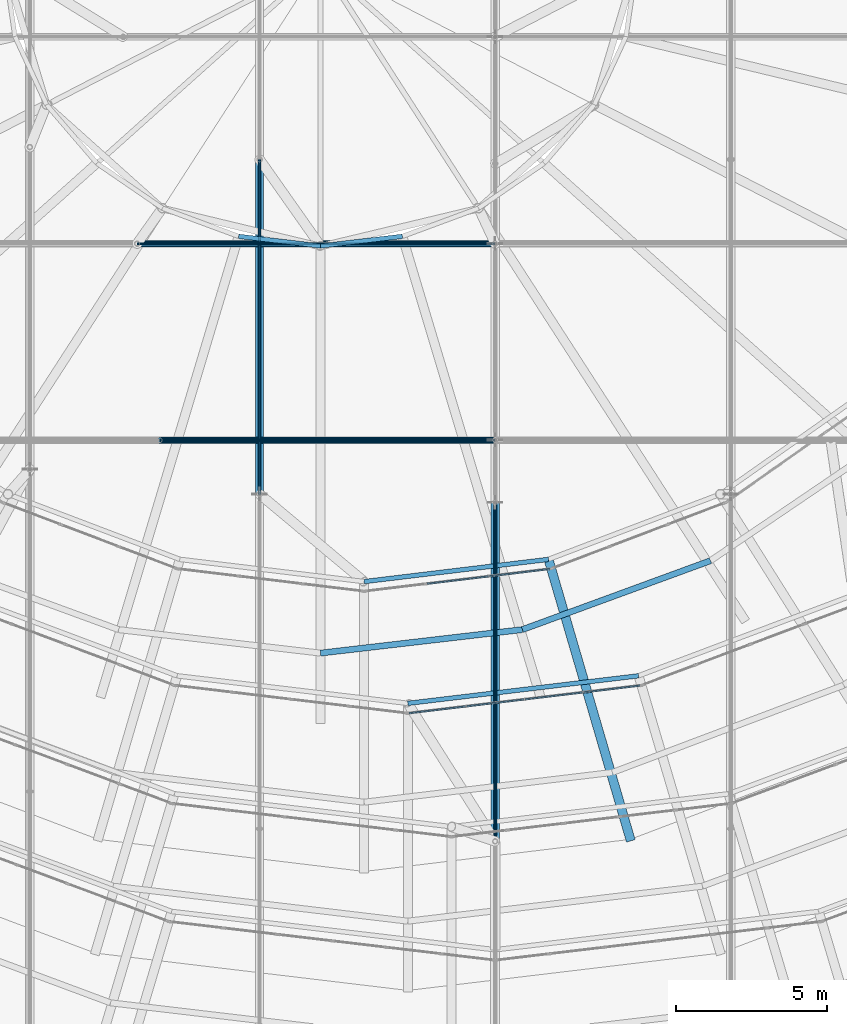
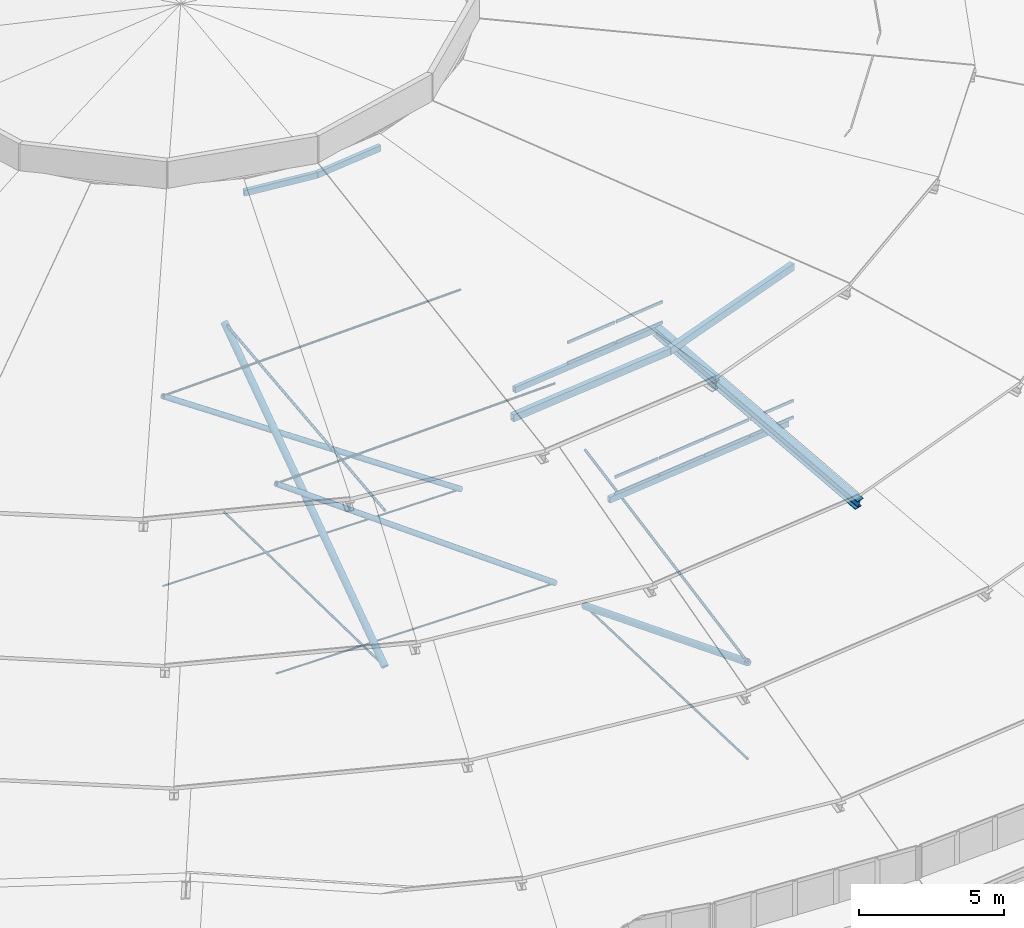
# One storey, part 23 of 173: 31 members, 2 elements without a shape of their own.
"""IFC4 building model written with IfcOpenShell, lengths in metres."""

import ifcopenshell
import ifcopenshell.guid

model = None  # the IFC model being written
_history = None  # IfcOwnerHistory: only IFC2X3 demands one
_inside = {}  # id of a spatial element -> (the spatial element, [elements in it])
_under = {}  # id of a project, library or spatial element -> (it, [spatial elements below it])
_declared = {}  # id of a project -> (the project, [libraries it declares])
_typed = {}  # id of a type object -> (the type object, [elements of that type])
_made_of = {}  # id of a material, layer set ... -> (it, [elements and type objects made of it])


def new_model(schema):
    """Start an empty IFC model of exactly this schema.

    Asked for "IFC4X3", IfcOpenShell would pick the latest addendum, in which some entities
    have other attributes; the version numbers below select the first issue.
    IFC2X3 requires an IfcOwnerHistory on every rooted entity: one is made here for all.
    """
    global model, _history
    if schema == "IFC4X3":
        model = ifcopenshell.file(schema_version=(4, 3, 0, 0))
    else:
        model = ifcopenshell.file(schema=schema)
    _inside.clear()
    _under.clear()
    _declared.clear()
    _typed.clear()
    _made_of.clear()
    _history = None
    if model.schema == "IFC2X3":
        org = make("IfcOrganization", Name="unknown")
        user = make(
            "IfcPersonAndOrganization",
            ThePerson=make("IfcPerson", FamilyName="unknown"),
            TheOrganization=org,
        )
        app = make(
            "IfcApplication",
            ApplicationDeveloper=org,
            Version="unknown",
            ApplicationFullName="unknown",
            ApplicationIdentifier="unknown",
        )
        _history = make(
            "IfcOwnerHistory",
            OwningUser=user,
            OwningApplication=app,
            ChangeAction="ADDED",
            CreationDate=0,
        )
    return model


def make(cls, **values):
    """One entity of the class cls with the attributes given. An attribute that is None is left unset."""
    return model.create_entity(
        cls, **{name: value for name, value in values.items() if value is not None}
    )


def rooted(cls, **values):
    """An entity with a GlobalId (a new one), such as an element, a storey or a relation."""
    return make(cls, GlobalId=ifcopenshell.guid.new(), OwnerHistory=_history, **values)


def si_unit(unit_type, name, prefix=None):
    """IfcSIUnit, for example si_unit("LENGTHUNIT", "METRE", prefix="MILLI")."""
    return make("IfcSIUnit", UnitType=unit_type, Prefix=prefix, Name=name)


def assignment(units):
    """IfcUnitAssignment: the units of a project."""
    return None if units is None else make("IfcUnitAssignment", Units=units)


def point(xyz):
    """IfcCartesianPoint."""
    return None if xyz is None else make("IfcCartesianPoint", Coordinates=xyz)


def direction(xyz):
    """IfcDirection."""
    return None if xyz is None else make("IfcDirection", DirectionRatios=xyz)


def frame(location, z_axis=None, x_axis=None):
    """IfcAxis2Placement3D, a coordinate frame: its origin and axes. An axis left out is left unset."""
    return make(
        "IfcAxis2Placement3D",
        Location=point(location),
        Axis=direction(z_axis),
        RefDirection=direction(x_axis),
    )


def frame_2d(location, x_axis=None):
    """IfcAxis2Placement2D, a coordinate frame in the plane: its origin and x axis."""
    return make(
        "IfcAxis2Placement2D", Location=point(location), RefDirection=direction(x_axis)
    )


def origin():
    """The frame at (0, 0, 0) with its axes left unset."""
    return frame((0.0, 0.0, 0.0))


def origin_2d():
    """The frame at (0, 0) in the plane with its x axis left unset."""
    return frame_2d((0.0, 0.0))


def place(relative_to, where):
    """IfcLocalPlacement: puts the frame where relative to a parent placement (None: the world)."""
    return make(
        "IfcLocalPlacement", PlacementRelTo=relative_to, RelativePlacement=where
    )


def context(
    kind, dimensions, precision=None, world=None, true_north=None, identifier=None
):
    """IfcGeometricRepresentationContext, for example the 3D "Model" context."""
    return make(
        "IfcGeometricRepresentationContext",
        ContextIdentifier=identifier,
        ContextType=kind,
        CoordinateSpaceDimension=dimensions,
        Precision=precision,
        WorldCoordinateSystem=world,
        TrueNorth=true_north,
    )


def subcontext(parent, identifier, kind, view, scale=None):
    """IfcGeometricRepresentationSubContext, for example "Body" below "Model"."""
    return make(
        "IfcGeometricRepresentationSubContext",
        ContextIdentifier=identifier,
        ContextType=kind,
        ParentContext=parent,
        TargetScale=scale,
        TargetView=view,
    )


def project(units=None, contexts=None):
    """IfcProject with its units and contexts."""
    return rooted(
        "IfcProject",
        Name="project",
        RepresentationContexts=contexts,
        UnitsInContext=assignment(units),
    )


def spatial(cls, under=None, at=None, **own):
    """A site, building, storey or space (cls), placed at a placement, below another one or the project."""
    s = rooted(cls, ObjectPlacement=at, **own)
    if under is not None:
        _under.setdefault(under.id(), (under, []))[1].append(s)
    return s


def profile(cls, at=None, kind="AREA", **sizes):
    """A parametric profile (cls). Its sizes go by their IFC names, for example OverallWidth=200.0."""
    return make(cls, ProfileType=kind, Position=at, **sizes)


def rectangle(**sizes):
    """IfcRectangleProfileDef."""
    return profile("IfcRectangleProfileDef", **sizes)


def hollow_rectangle(**sizes):
    """IfcRectangleHollowProfileDef."""
    return profile("IfcRectangleHollowProfileDef", **sizes)


def circle(**sizes):
    """IfcCircleProfileDef."""
    return profile("IfcCircleProfileDef", **sizes)


def hollow_circle(**sizes):
    """IfcCircleHollowProfileDef."""
    return profile("IfcCircleHollowProfileDef", **sizes)


def i_section(**sizes):
    """IfcIShapeProfileDef."""
    return profile("IfcIShapeProfileDef", **sizes)


def extrude(swept, where, along, depth):
    """IfcExtrudedAreaSolid: the profile swept, set in the frame where, extruded along a direction by depth."""
    return make(
        "IfcExtrudedAreaSolid",
        SweptArea=swept,
        Position=where,
        ExtrudedDirection=direction(along),
        Depth=depth,
    )


def shape(context_of_items, identifier, shape_type, items):
    """IfcShapeRepresentation: the items that make up one representation, for example the "Body"."""
    return make(
        "IfcShapeRepresentation",
        ContextOfItems=context_of_items,
        RepresentationIdentifier=identifier,
        RepresentationType=shape_type,
        Items=items,
    )


def material(Name=None, Category=None):
    """IfcMaterial."""
    return make("IfcMaterial", Name=Name, Category=Category)


def material_profile(
    of_material, cross_section, Name=None, Category=None, Priority=None
):
    """IfcMaterialProfile: a cross section and its material."""
    return make(
        "IfcMaterialProfile",
        Name=Name,
        Material=of_material,
        Profile=cross_section,
        Priority=Priority,
        Category=Category,
    )


def profile_set(profiles, Name=None, composite=None):
    """IfcMaterialProfileSet."""
    return make(
        "IfcMaterialProfileSet",
        Name=Name,
        MaterialProfiles=profiles,
        CompositeProfile=composite,
    )


def made_of(thing, what):
    """Note that an element or type object is made of a material, layer set ...; save() writes the relation."""
    if what is not None:
        _made_of.setdefault(what.id(), (what, []))[1].append(thing)
    return thing


def type_object(cls, material=None, **own):
    """A type object (cls), such as IfcWallType, which elements share."""
    return made_of(rooted(cls, **own), material)


def element(
    cls,
    number,
    at=None,
    inside=None,
    cuts=None,
    type_object=None,
    material=None,
    context=None,
    identifier="Body",
    shape_type=None,
    held_by="IfcProductDefinitionShape",
    body=None,
    shapes=None,
    **own,
):
    """One element of the class cls, such as IfcWall. Its Tag is "e" and its number.

    at: its placement. inside: the storey or other place that contains it. cuts: it is an
    opening in that element (IfcRelVoidsElement). A single representation is given by context,
    identifier, shape_type and body (its items); several are given by shapes. held_by: the class
    of the entity that holds the representations. save() writes the other relations.
    """
    e = rooted(cls, Tag="e%d" % number, ObjectPlacement=at, **own)
    if body is not None:
        shapes = [shape(context, identifier, shape_type, body)]
    if shapes is not None:
        e.Representation = make(held_by, Representations=shapes)
    if inside is not None:
        _inside.setdefault(inside.id(), (inside, []))[1].append(e)
    if cuts is not None:
        rooted(
            "IfcRelVoidsElement", RelatingBuildingElement=cuts, RelatedOpeningElement=e
        )
    if type_object is not None:
        _typed.setdefault(type_object.id(), (type_object, []))[1].append(e)
    return made_of(e, material)


def aggregate(whole, parts):
    """IfcRelAggregates: a whole, such as a stair, and the parts it consists of."""
    return rooted("IfcRelAggregates", RelatingObject=whole, RelatedObjects=parts)


def save(model, path):
    """Write the relations noted so far, then the file.

    IfcRelAggregates (storeys below a building ...), IfcRelContainedInSpatialStructure (elements
    in a storey), IfcRelDefinesByType, IfcRelAssociatesMaterial and IfcRelDeclares: one each for
    every whole, place, type object, material and project.
    """
    for whole, parts in _under.values():
        aggregate(whole, parts)
    for where, things in _inside.values():
        rooted(
            "IfcRelContainedInSpatialStructure",
            RelatedElements=things,
            RelatingStructure=where,
        )
    for kind, things in _typed.values():
        rooted("IfcRelDefinesByType", RelatedObjects=things, RelatingType=kind)
    for what, things in _made_of.values():
        rooted("IfcRelAssociatesMaterial", RelatedObjects=things, RelatingMaterial=what)
    for by, libraries in _declared.values():
        rooted("IfcRelDeclares", RelatingContext=by, RelatedDefinitions=libraries)
    model.write(path)


model = new_model("IFC4")

# Units and contexts
model_context = context("Model", 3, precision=1e-05, world=origin(), true_north=direction((0.0, 1.0)))
body_context = subcontext(model_context, "Body", "Model", "MODEL_VIEW")
ifc_project = project(units=[si_unit("LENGTHUNIT", "METRE"), si_unit("AREAUNIT", "SQUARE_METRE"), si_unit("VOLUMEUNIT", "CUBIC_METRE"), si_unit("PLANEANGLEUNIT", "RADIAN"), si_unit("MASSUNIT", "GRAM", prefix="KILO")], contexts=[model_context])

# Site, building, storey
site_placement = place(None, origin())
site = spatial("IfcSite", under=ifc_project, at=site_placement, CompositionType="ELEMENT")
building_placement = place(site_placement, origin())
building = spatial("IfcBuilding", under=site, at=building_placement, Name="Glasvene Arena", CompositionType="ELEMENT")
storey_placement = place(building_placement, frame((0.0, 0.0, 28.800048828125)))
storey = spatial("IfcBuildingStorey", under=building, at=storey_placement, Name="RF", CompositionType="ELEMENT", Elevation=28.800048828125)

# Curtain wall, members
ifc_material_1 = material(Name="Low-emissivity laminated double glazing", Category="glass")
curtain_wall_type_1 = type_object("IfcCurtainWallType", Name="CW-PET3-781x75", PredefinedType="USERDEFINED", material=ifc_material_1)
curtain_wall_1_placement = place(storey_placement, frame((89.10009765625, 43.5, 0.0)))
curtain_wall_1 = element("IfcCurtainWall", 1, at=curtain_wall_1_placement, inside=storey, type_object=curtain_wall_type_1, Name="Petal ring 3-4 clerestory curtain wall 19", ObjectType="CURTAIN WALL", PredefinedType="USERDEFINED")
ifc_material_2 = material(Name="Anodised architectural aluminium", Category="aluminium")
ifc_material_profile_1 = material_profile(ifc_material_2, rectangle(XDim=0.050048828125, YDim=0.1201171875, at=origin_2d()), Name="ALU TRANSOM 50x120")
ifc_profile_set_1 = profile_set([ifc_material_profile_1], Name="Anodised architectural aluminium")
member_type_1 = type_object("IfcMemberType", Name="CW-TRN-120", PredefinedType="USERDEFINED", material=ifc_profile_set_1)
member_1_placement = place(storey_placement, frame((89.149658203125, 43.505859375, 7.85498046875), z_axis=(0.992922315442, 0.118765632647, 0.0), x_axis=(-0.118765632647, 0.992922315442, 0.0)))
member_1 = element("IfcMember", 2, at=member_1_placement, type_object=member_type_1, Name="CW-098 transom 1.1", ObjectType="TRANSOM", PredefinedType="USERDEFINED", context=body_context, shape_type="SweptSolid", body=[
    extrude(rectangle(XDim=0.050048828125, YDim=0.1201171875, at=origin_2d()), origin(), (0.0, 0.0, 1.0), 1.876708984375),
])
member_2_placement = place(storey_placement, frame((89.149658203125, 43.505859375, 8.554931640625), z_axis=(0.992922315442, 0.118765632647, 0.0), x_axis=(-0.118765632647, 0.992922315442, 0.0)))
member_2 = element("IfcMember", 3, at=member_2_placement, type_object=member_type_1, Name="CW-098 transom 1.2", ObjectType="TRANSOM", PredefinedType="USERDEFINED", context=body_context, shape_type="SweptSolid", body=[
    extrude(rectangle(XDim=0.050048828125, YDim=0.1201171875, at=origin_2d()), origin(), (0.0, 0.0, 1.0), 1.876708984375),
])
member_3_placement = place(storey_placement, frame((91.062744140625, 43.734619140625, 7.85498046875), z_axis=(0.992923539181, 0.118755401311, 0.0), x_axis=(-0.118755401311, 0.992923539181, 0.0)))
member_3 = element("IfcMember", 4, at=member_3_placement, type_object=member_type_1, Name="CW-098 transom 2.1", ObjectType="TRANSOM", PredefinedType="USERDEFINED", context=body_context, shape_type="SweptSolid", body=[
    extrude(rectangle(XDim=0.050048828125, YDim=0.1201171875, at=origin_2d()), origin(), (0.0, 0.0, 1.0), 1.901611328125),
])
member_4_placement = place(storey_placement, frame((91.062744140625, 43.734619140625, 8.554931640625), z_axis=(0.992923539181, 0.118755401311, 0.0), x_axis=(-0.118755401311, 0.992923539181, 0.0)))
member_4 = element("IfcMember", 5, at=member_4_placement, type_object=member_type_1, Name="CW-098 transom 2.2", ObjectType="TRANSOM", PredefinedType="USERDEFINED", context=body_context, shape_type="SweptSolid", body=[
    extrude(rectangle(XDim=0.050048828125, YDim=0.1201171875, at=origin_2d()), origin(), (0.0, 0.0, 1.0), 1.901611328125),
])
member_5_placement = place(storey_placement, frame((93.000732421875, 43.96630859375, 7.85498046875), z_axis=(0.992923539181, 0.118755401311, 0.0), x_axis=(-0.118755401311, 0.992923539181, 0.0)))
member_5 = element("IfcMember", 6, at=member_5_placement, type_object=member_type_1, Name="CW-098 transom 3.1", ObjectType="TRANSOM", PredefinedType="USERDEFINED", context=body_context, shape_type="SweptSolid", body=[
    extrude(rectangle(XDim=0.050048828125, YDim=0.1201171875, at=origin_2d()), origin(), (0.0, 0.0, 1.0), 1.901611328125),
])
member_6_placement = place(storey_placement, frame((93.000732421875, 43.96630859375, 8.554931640625), z_axis=(0.992923539181, 0.118755401311, 0.0), x_axis=(-0.118755401311, 0.992923539181, 0.0)))
member_6 = element("IfcMember", 7, at=member_6_placement, type_object=member_type_1, Name="CW-098 transom 3.2", ObjectType="TRANSOM", PredefinedType="USERDEFINED", context=body_context, shape_type="SweptSolid", body=[
    extrude(rectangle(XDim=0.050048828125, YDim=0.1201171875, at=origin_2d()), origin(), (0.0, 0.0, 1.0), 1.901611328125),
])
member_7_placement = place(storey_placement, frame((94.9384765625, 44.197998046875, 7.85498046875), z_axis=(0.992922315442, 0.118765632647, 0.0), x_axis=(-0.118765632647, 0.992922315442, 0.0)))
member_7 = element("IfcMember", 8, at=member_7_placement, type_object=member_type_1, Name="CW-098 transom 4.1", ObjectType="TRANSOM", PredefinedType="USERDEFINED", context=body_context, shape_type="SweptSolid", body=[
    extrude(rectangle(XDim=0.050048828125, YDim=0.1201171875, at=origin_2d()), origin(), (0.0, 0.0, 1.0), 1.876708984375),
])
member_8_placement = place(storey_placement, frame((94.9384765625, 44.197998046875, 8.554931640625), z_axis=(0.992922315442, 0.118765632647, 0.0), x_axis=(-0.118765632647, 0.992922315442, 0.0)))
member_8 = element("IfcMember", 9, at=member_8_placement, type_object=member_type_1, Name="CW-098 transom 4.2", ObjectType="TRANSOM", PredefinedType="USERDEFINED", context=body_context, shape_type="SweptSolid", body=[
    extrude(rectangle(XDim=0.050048828125, YDim=0.1201171875, at=origin_2d()), origin(), (0.0, 0.0, 1.0), 1.876708984375),
])
aggregate(curtain_wall_1, [member_1, member_2, member_3, member_4, member_5, member_6, member_7, member_8])

curtain_wall_type_2 = type_object("IfcCurtainWallType", Name="CW-PET4-626x92", PredefinedType="USERDEFINED", material=ifc_material_1)
curtain_wall_2_placement = place(storey_placement, frame((87.64990234375, 47.550048828125, 0.0)))
curtain_wall_2 = element("IfcCurtainWall", 10, at=curtain_wall_2_placement, inside=storey, type_object=curtain_wall_type_2, Name="Petal ring 4-5 clerestory curtain wall 19", ObjectType="CURTAIN WALL", PredefinedType="USERDEFINED")
member_9_placement = place(storey_placement, frame((89.745361328125, 47.802978515625, 10.554931640625), z_axis=(0.992810855835, 0.119693794893, 0.0), x_axis=(-0.119693794893, 0.992810855835, 0.0)))
member_9 = element("IfcMember", 11, at=member_9_placement, type_object=member_type_1, Name="CW-104 transom 2.1", ObjectType="TRANSOM", PredefinedType="USERDEFINED", context=body_context, shape_type="SweptSolid", body=[
    extrude(rectangle(XDim=0.050048828125, YDim=0.1201171875, at=origin_2d()), origin(), (0.0, 0.0, 1.0), 2.03564453125),
])
member_10_placement = place(storey_placement, frame((89.745361328125, 47.802978515625, 11.4208984375), z_axis=(0.992810855835, 0.119693794893, 0.0), x_axis=(-0.119693794893, 0.992810855835, 0.0)))
member_10 = element("IfcMember", 12, at=member_10_placement, type_object=member_type_1, Name="CW-104 transom 2.2", ObjectType="TRANSOM", PredefinedType="USERDEFINED", context=body_context, shape_type="SweptSolid", body=[
    extrude(rectangle(XDim=0.050048828125, YDim=0.1201171875, at=origin_2d()), origin(), (0.0, 0.0, 1.0), 2.03564453125),
])
member_11_placement = place(storey_placement, frame((91.81591796875, 48.052734375, 10.554931640625), z_axis=(0.992792125949, 0.119849049451, 0.0), x_axis=(-0.119849049451, 0.992792125949, 0.0)))
member_11 = element("IfcMember", 13, at=member_11_placement, type_object=member_type_1, Name="CW-104 transom 3.1", ObjectType="TRANSOM", PredefinedType="USERDEFINED", context=body_context, shape_type="SweptSolid", body=[
    extrude(rectangle(XDim=0.050048828125, YDim=0.1201171875, at=origin_2d()), origin(), (0.0, 0.0, 1.0), 2.010498046875),
])
member_12_placement = place(storey_placement, frame((91.81591796875, 48.052734375, 11.4208984375), z_axis=(0.992792125949, 0.119849049451, 0.0), x_axis=(-0.119849049451, 0.992792125949, 0.0)))
member_12 = element("IfcMember", 14, at=member_12_placement, type_object=member_type_1, Name="CW-104 transom 3.2", ObjectType="TRANSOM", PredefinedType="USERDEFINED", context=body_context, shape_type="SweptSolid", body=[
    extrude(rectangle(XDim=0.050048828125, YDim=0.1201171875, at=origin_2d()), origin(), (0.0, 0.0, 1.0), 2.010498046875),
])
aggregate(curtain_wall_2, [member_9, member_10, member_11, member_12])

# Members
ifc_material_3 = material(Name="High-strength steel spiral strand S460", Category="steel")
ifc_material_profile_2 = material_profile(ifc_material_3, circle(Radius=0.052490234375, at=origin_2d()), Name="LCSS D105")
ifc_profile_set_2 = profile_set([ifc_material_profile_2], Name="High-strength steel spiral strand S460")
member_type_2 = type_object("IfcMemberType", Name="MB-CABLE-105", PredefinedType="USERDEFINED", material=ifc_profile_set_2)
member_13_placement = place(storey_placement, frame((92.0, 39.25, 2.328857421875), z_axis=(0.0, 0.982319529348, 0.187212024886), x_axis=(-1.0, 0.0, 0.0)))
element("IfcMember", 15, at=member_13_placement, inside=storey, type_object=member_type_2, Name="Upper lens roof cable NS05-02", ObjectType="ROOF CABLE", PredefinedType="USERDEFINED", context=body_context, shape_type="SweptSolid", body=[
    extrude(circle(Radius=0.052490234375, at=origin_2d()), origin(), (0.0, 0.0, 1.0), 11.452392578125),
])
member_14_placement = place(storey_placement, frame((84.17822265625, 50.777099609375, 4.472900390625), z_axis=(0.0, 0.994050131103, 0.108923536733), x_axis=(-1.0, 0.0, 0.0)))
element("IfcMember", 16, at=member_14_placement, inside=storey, type_object=member_type_2, Name="Upper lens roof cable NS06-03", ObjectType="ROOF CABLE", PredefinedType="USERDEFINED", context=body_context, shape_type="SweptSolid", body=[
    extrude(circle(Radius=0.052490234375, at=origin_2d()), origin(), (0.0, 0.0, 1.0), 11.177734375),
])
ifc_material_profile_3 = material_profile(ifc_material_3, circle(Radius=0.03759765625, at=origin_2d()), Name="LCSS D75")
ifc_profile_set_3 = profile_set([ifc_material_profile_3], Name="High-strength steel spiral strand S460")
member_type_3 = type_object("IfcMemberType", Name="MB-CABLE-75", PredefinedType="USERDEFINED", material=ifc_profile_set_3)
member_15_placement = place(storey_placement, frame((80.8623046875, 52.5703125, -2.328125), z_axis=(0.99997909309, 0.0, -0.006466326884), x_axis=(0.0, 1.0, 0.0)))
element("IfcMember", 17, at=member_15_placement, inside=storey, type_object=member_type_3, Name="Lower stabilization roof cable EW01-04", ObjectType="ROOF CABLE", PredefinedType="USERDEFINED", context=body_context, shape_type="SweptSolid", body=[
    extrude(circle(Radius=0.03759765625, at=origin_2d()), origin(), (0.0, 0.0, 1.0), 11.137939453125),
])
member_16_placement = place(storey_placement, frame((80.11181640625, 59.09423828125, -2.328125), z_axis=(0.999981649362, 0.0, -0.006058130089), x_axis=(0.0, 1.0, 0.0)))
element("IfcMember", 18, at=member_16_placement, inside=storey, type_object=member_type_3, Name="Lower stabilization roof cable EW02-04", ObjectType="ROOF CABLE", PredefinedType="USERDEFINED", context=body_context, shape_type="SweptSolid", body=[
    extrude(circle(Radius=0.03759765625, at=origin_2d()), origin(), (0.0, 0.0, 1.0), 11.888427734375),
])
ifc_material_profile_4 = material_profile(ifc_material_3, circle(Radius=0.044921875, at=origin_2d()), Name="LCSS D90")
ifc_profile_set_4 = profile_set([ifc_material_profile_4], Name="High-strength steel spiral strand S460")
member_type_4 = type_object("IfcMemberType", Name="MB-CABLE-90", PredefinedType="USERDEFINED", material=ifc_profile_set_4)
member_17_placement = place(storey_placement, frame((92.0, 39.25, -1.753173828125), z_axis=(0.0, 0.999490166395, -0.031928158093), x_axis=(-1.0, 0.0, 0.0)))
element("IfcMember", 19, at=member_17_placement, inside=storey, type_object=member_type_4, Name="Lower stabilization roof cable NS05-02", ObjectType="ROOF CABLE", PredefinedType="USERDEFINED", context=body_context, shape_type="SweptSolid", body=[
    extrude(circle(Radius=0.044921875, at=origin_2d()), origin(), (0.0, 0.0, 1.0), 11.255859375),
])
member_18_placement = place(storey_placement, frame((84.17822265625, 50.777099609375, -2.112548828125), z_axis=(0.0, 0.999811844471, -0.019397826039), x_axis=(-1.0, 0.0, 0.0)))
element("IfcMember", 20, at=member_18_placement, inside=storey, type_object=member_type_4, Name="Lower stabilization roof cable NS06-03", ObjectType="ROOF CABLE", PredefinedType="USERDEFINED", context=body_context, shape_type="SweptSolid", body=[
    extrude(circle(Radius=0.044921875, at=origin_2d()), origin(), (0.0, 0.0, 1.0), 11.113525390625),
])
member_19_placement = place(storey_placement, frame((80.8623046875, 52.5703125, 5.6904296875), z_axis=(0.999562435723, 0.0, 0.02957933556), x_axis=(0.0, 1.0, 0.0)))
element("IfcMember", 21, at=member_19_placement, inside=storey, type_object=member_type_4, Name="Upper lens roof cable EW01-04", ObjectType="ROOF CABLE", PredefinedType="USERDEFINED", context=body_context, shape_type="SweptSolid", body=[
    extrude(circle(Radius=0.044921875, at=origin_2d()), origin(), (0.0, 0.0, 1.0), 11.142578125),
])
member_20_placement = place(storey_placement, frame((80.11181640625, 59.09423828125, 5.6904296875), z_axis=(0.999615907021, 0.0, 0.027713506273), x_axis=(0.0, 1.0, 0.0)))
element("IfcMember", 22, at=member_20_placement, inside=storey, type_object=member_type_4, Name="Upper lens roof cable EW02-04", ObjectType="ROOF CABLE", PredefinedType="USERDEFINED", context=body_context, shape_type="SweptSolid", body=[
    extrude(circle(Radius=0.044921875, at=origin_2d()), origin(), (0.0, 0.0, 1.0), 11.892822265625),
])
ifc_material_4 = material(Name="Steel S355J2", Category="steel")
ifc_material_profile_5 = material_profile(ifc_material_4, i_section(OverallWidth=0.300048828125, OverallDepth=0.39990234375, WebThickness=0.013427734375, FlangeThickness=0.02392578125, FilletRadius=0.027099609375, at=origin_2d()), Name="HEB 400")
ifc_profile_set_5 = profile_set([ifc_material_profile_5], Name="Steel S355J2")
member_type_5 = type_object("IfcMemberType", Name="MB-CHORD-HEB400", PredefinedType="CHORD", material=ifc_profile_set_5)
member_21_placement = place(storey_placement, frame((96.48876953125, 39.31640625, 7.39990234375), z_axis=(-0.270665437947, 0.925786670433, 0.26393041043), x_axis=(-0.959820240891, -0.280615582561, 0.0)))
element("IfcMember", 23, at=member_21_placement, inside=storey, type_object=member_type_5, Name="Petal ring 4 radial rib 20", PredefinedType="CHORD", context=body_context, shape_type="SweptSolid", body=[
    extrude(i_section(OverallWidth=0.300048828125, OverallDepth=0.39990234375, WebThickness=0.013427734375, FlangeThickness=0.02392578125, FilletRadius=0.027099609375, at=origin_2d()), origin(), (0.0, 0.0, 1.0), 10.041015625),
])
ifc_material_profile_6 = material_profile(ifc_material_4, hollow_rectangle(XDim=0.14990234375, YDim=0.25, WallThickness=0.010009765625, at=origin_2d()), Name="RHS 250x150x10.0")
ifc_profile_set_6 = profile_set([ifc_material_profile_6], Name="Steel S355J2")
member_type_6 = type_object("IfcMemberType", Name="MB-PURLIN-RHS250", PredefinedType="PURLIN", material=ifc_profile_set_6)
member_22_placement = place(storey_placement, frame((89.10009765625, 43.831298828125, 7.431884765625), z_axis=(0.992938395065, 0.118631124099, 0.0), x_axis=(-0.118631124099, 0.992938395065, 0.0)))
element("IfcMember", 24, at=member_22_placement, inside=storey, type_object=member_type_6, Name="Petal ring 3 ridge purlin 19", PredefinedType="PURLIN", context=body_context, shape_type="SweptSolid", body=[
    extrude(hollow_rectangle(XDim=0.14990234375, YDim=0.25, WallThickness=0.010009765625, at=origin_2d()), origin(), (0.0, 0.0, 1.0), 7.71533203125),
])
member_23_placement = place(storey_placement, frame((87.64990234375, 47.873779296875, 10.1318359375), z_axis=(0.992799997938, 0.119783822342, 0.0), x_axis=(-0.119783822342, 0.992799997938, 0.0)))
element("IfcMember", 25, at=member_23_placement, inside=storey, type_object=member_type_6, Name="Petal ring 4 ridge purlin 19", PredefinedType="PURLIN", context=body_context, shape_type="SweptSolid", body=[
    extrude(hollow_rectangle(XDim=0.14990234375, YDim=0.25, WallThickness=0.010009765625, at=origin_2d()), origin(), (0.0, 0.0, 1.0), 6.16552734375),
])
for number, where, z_axis, x_axis, name in (
    (26, (83.482421875, 59.3369140625, 12.951904296875), (0.993145731191, -0.116882661743, 0.0), (0.116882661743, 0.993145731191, 0.0), "Petal ring 5 ridge purlin 18"),
    (27, (86.199951171875, 59.01708984375, 12.951904296875), (0.993145731191, 0.116882661743, 0.0), (-0.116882661743, 0.993145731191, 0.0), "Petal ring 5 ridge purlin 19"),
):
    element("IfcMember", number, at=place(storey_placement, frame(where, z_axis=z_axis, x_axis=x_axis)), inside=storey, type_object=member_type_6, Name=name, PredefinedType="PURLIN", context=body_context, shape_type="SweptSolid", body=[
        extrude(hollow_rectangle(XDim=0.14990234375, YDim=0.25, WallThickness=0.010009765625, at=origin_2d()), origin(), (0.0, 0.0, 1.0), 2.736328125),
    ])
ifc_material_profile_7 = material_profile(ifc_material_4, hollow_rectangle(XDim=0.199951171875, YDim=0.300048828125, WallThickness=0.012451171875, at=origin_2d()), Name="RHS 300x200x12.5")
ifc_profile_set_7 = profile_set([ifc_material_profile_7], Name="Steel S355J2")
member_type_7 = type_object("IfcMemberType", Name="MB-PURLIN-RHS300", PredefinedType="PURLIN", material=ifc_profile_set_7)
member_24_placement = place(storey_placement, frame((86.199951171875, 45.5, 10.9013671875), z_axis=(0.993293570606, 0.115619559735, 0.0), x_axis=(-0.115619559735, 0.993293570606, 0.0)))
element("IfcMember", 28, at=member_24_placement, inside=storey, type_object=member_type_7, Name="Petal ring 5 outer purlin 19", PredefinedType="PURLIN", context=body_context, shape_type="SweptSolid", body=[
    extrude(hollow_rectangle(XDim=0.199951171875, YDim=0.300048828125, WallThickness=0.012451171875, at=origin_2d()), origin(), (0.0, 0.0, 1.0), 6.74853515625),
])
member_25_placement = place(storey_placement, frame((92.9033203125, 46.2802734375, 10.9013671875), z_axis=(0.939001198731, 0.34391386826, 0.0), x_axis=(-0.34391386826, 0.939001198731, 0.0)))
element("IfcMember", 29, at=member_25_placement, inside=storey, type_object=member_type_7, Name="Petal ring 5 outer purlin 20", PredefinedType="PURLIN", context=body_context, shape_type="SweptSolid", body=[
    extrude(hollow_rectangle(XDim=0.199951171875, YDim=0.300048828125, WallThickness=0.012451171875, at=origin_2d()), origin(), (0.0, 0.0, 1.0), 6.65234375),
])
ifc_material_profile_8 = material_profile(ifc_material_4, hollow_circle(Radius=0.109619140625, WallThickness=0.010009765625, at=origin_2d()), Name="CHS 219.1x10.0")
ifc_profile_set_8 = profile_set([ifc_material_profile_8], Name="Steel S355J2")
member_type_8 = type_object("IfcMemberType", Name="MB-WEB-CHS219", PredefinedType="BRACE", material=ifc_profile_set_8)
member_26_placement = place(storey_placement, frame((80.8623046875, 52.5703125, 5.6904296875), z_axis=(0.809066496932, 0.0, -0.587717111833), x_axis=(0.0, 1.0, 0.0)))
element("IfcMember", 30, at=member_26_placement, inside=storey, type_object=member_type_8, Name="Cable-truss diagonal web strut EW01-04", PredefinedType="BRACE", context=body_context, shape_type="SweptSolid", body=[
    extrude(hollow_circle(Radius=0.109619140625, WallThickness=0.010009765625, at=origin_2d()), origin(), (0.0, 0.0, 1.0), 13.76611328125),
])
member_27_placement = place(storey_placement, frame((80.11181640625, 59.09423828125, 5.6904296875), z_axis=(0.826712660605, 0.0, -0.562624365626), x_axis=(0.0, 1.0, 0.0)))
element("IfcMember", 31, at=member_27_placement, inside=storey, type_object=member_type_8, Name="Cable-truss diagonal web strut EW02-04", PredefinedType="BRACE", context=body_context, shape_type="SweptSolid", body=[
    extrude(hollow_circle(Radius=0.109619140625, WallThickness=0.010009765625, at=origin_2d()), origin(), (0.0, 0.0, 1.0), 14.380126953125),
])
ifc_material_profile_9 = material_profile(ifc_material_4, hollow_circle(Radius=0.136474609375, WallThickness=0.012451171875, at=origin_2d()), Name="CHS 273.0x12.5")
ifc_profile_set_9 = profile_set([ifc_material_profile_9], Name="Steel S355J2")
member_type_9 = type_object("IfcMemberType", Name="MB-WEB-CHS273", PredefinedType="BRACE", material=ifc_profile_set_9)
member_28_placement = place(storey_placement, frame((92.0, 39.25, 2.328857421875), z_axis=(0.0, 0.930137804583, -0.367210654101), x_axis=(-1.0, 0.0, 0.0)))
element("IfcMember", 32, at=member_28_placement, inside=storey, type_object=member_type_9, Name="Cable-truss diagonal web strut NS05-02", PredefinedType="BRACE", context=body_context, shape_type="SweptSolid", body=[
    extrude(hollow_circle(Radius=0.136474609375, WallThickness=0.012451171875, at=origin_2d()), origin(), (0.0, 0.0, 1.0), 12.094970703125),
])
member_29_placement = place(storey_placement, frame((84.17822265625, 50.777099609375, -2.112548828125), z_axis=(0.0, 0.818364262746, 0.574699863808), x_axis=(-1.0, 0.0, 0.0)))
element("IfcMember", 33, at=member_29_placement, inside=storey, type_object=member_type_9, Name="Cable-truss diagonal web strut NS06-03", PredefinedType="BRACE", context=body_context, shape_type="SweptSolid", body=[
    extrude(hollow_circle(Radius=0.136474609375, WallThickness=0.012451171875, at=origin_2d()), origin(), (0.0, 0.0, 1.0), 13.577392578125),
])

save(model, "model.ifc")
